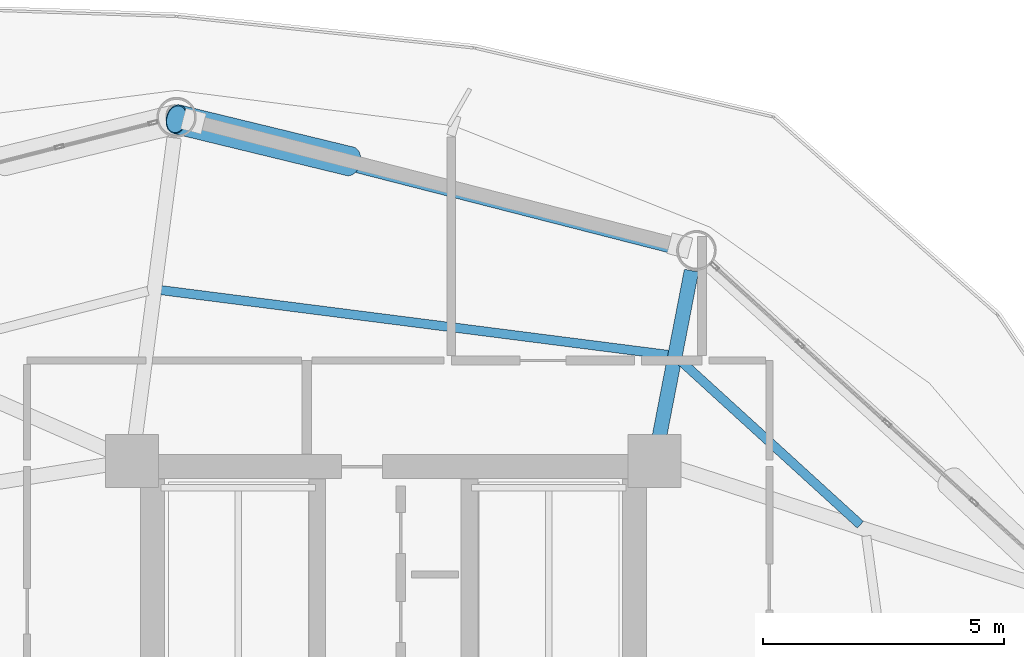
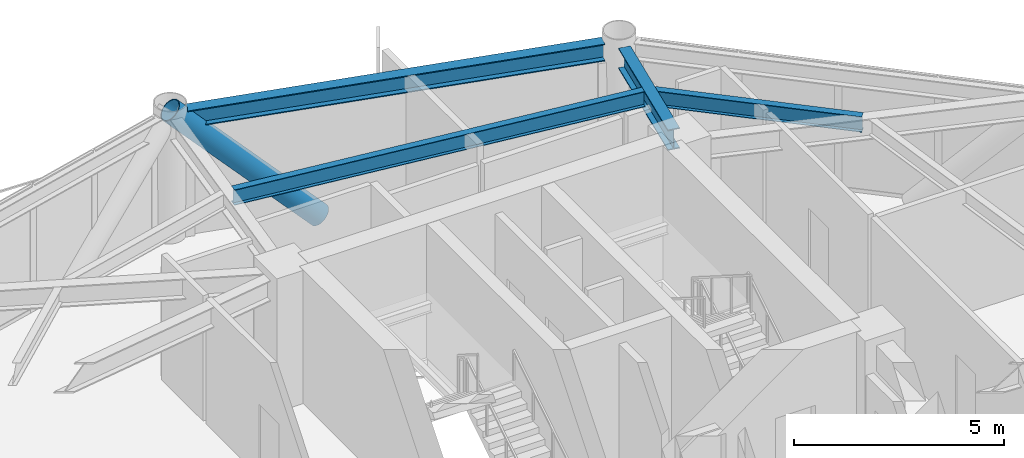
# One storey, part 18 of 26: 4 beams, 1 member.
"""IFC4 building model written with IfcOpenShell, lengths in metres."""

from ifc_helpers import new_model, si_unit, direction, frame, origin, origin_2d, place, context, subcontext, project, spatial, hollow_circle, i_section, extrude, material, material_profile, profile_set, type_object, element, save


model = new_model("IFC4")

# Units and contexts
model_context = context("Model", 3, precision=1e-05, world=origin(), true_north=direction((0.0, 1.0)))
body_context = subcontext(model_context, "Body", "Model", "MODEL_VIEW")
ifc_project = project(units=[si_unit("LENGTHUNIT", "METRE"), si_unit("AREAUNIT", "SQUARE_METRE"), si_unit("VOLUMEUNIT", "CUBIC_METRE"), si_unit("PLANEANGLEUNIT", "RADIAN"), si_unit("MASSUNIT", "GRAM", prefix="KILO")], contexts=[model_context])

# Site, building, storey
site_placement = place(None, origin())
site = spatial("IfcSite", under=ifc_project, at=site_placement, CompositionType="ELEMENT")
building_placement = place(site_placement, origin())
building = spatial("IfcBuilding", under=site, at=building_placement, Name="Varnakorn Sky Granary", CompositionType="ELEMENT")
storey_placement = place(building_placement, frame((0.0, 0.0, 95.39990234375)))
storey = spatial("IfcBuildingStorey", under=building, at=storey_placement, Name="L23", CompositionType="ELEMENT", Elevation=95.39990234375)

# Beams
ifc_material_1 = material(Name="Steel S355JR", Category="steel")
ifc_material_profile_1 = material_profile(ifc_material_1, i_section(OverallWidth=0.300048828125, OverallDepth=0.60009765625, WebThickness=0.015380859375, FlangeThickness=0.030029296875, at=origin_2d()), Name="HE 600 B")
ifc_profile_set_1 = profile_set([ifc_material_profile_1], Name="Steel S355JR")
beam_type_1 = type_object("IfcBeamType", Name="BM-RAD-Z2", PredefinedType="BEAM", material=ifc_profile_set_1)
beam_1_placement = place(storey_placement, frame((8.499755859375, 13.032470703125, 3.340087890625), z_axis=(0.189901660078, 0.981803116465, 0.0), x_axis=(-0.981803116465, 0.189901660078, 0.0)))
element("IfcBeam", 1, at=beam_1_placement, inside=storey, type_object=beam_type_1, Name="Radial Floor Girder RG03 L23", PredefinedType="BEAM", context=body_context, shape_type="SweptSolid", body=[
    extrude(i_section(OverallWidth=0.300048828125, OverallDepth=0.60009765625, WebThickness=0.015380859375, FlangeThickness=0.030029296875, at=origin_2d()), origin(), (0.0, 0.0, 1.0), 3.598388671875),
])
ifc_material_profile_2 = material_profile(ifc_material_1, i_section(OverallWidth=0.18994140625, OverallDepth=0.449951171875, WebThickness=0.009521484375, FlangeThickness=0.0146484375, at=origin_2d()), Name="IPE 450")
ifc_profile_set_2 = profile_set([ifc_material_profile_2], Name="Steel S355JR")
beam_type_2 = type_object("IfcBeamType", Name="BM-SEC-Z2", PredefinedType="BEAM", material=ifc_profile_set_2)
beam_2_placement = place(storey_placement, frame((12.686279296875, 11.29296875, 3.4150390625), z_axis=(-0.738926894757, 0.673785607004, 0.0), x_axis=(-0.673785607004, -0.738926894757, 0.0)))
element("IfcBeam", 2, at=beam_2_placement, inside=storey, type_object=beam_type_2, Name="Secondary Floor Chord Beam MSB02 L23", PredefinedType="BEAM", context=body_context, shape_type="SweptSolid", body=[
    extrude(i_section(OverallWidth=0.18994140625, OverallDepth=0.449951171875, WebThickness=0.009521484375, FlangeThickness=0.0146484375, at=origin_2d()), origin(), (0.0, 0.0, 1.0), 5.0634765625),
])
beam_3_placement = place(storey_placement, frame((8.70263671875, 14.816650390625, 3.4150390625), z_axis=(-0.991949410521, 0.126634777871, 0.0), x_axis=(-0.126634777871, -0.991949410521, 0.0)))
element("IfcBeam", 3, at=beam_3_placement, inside=storey, type_object=beam_type_2, Name="Secondary Floor Chord Beam MSB03 L23", PredefinedType="BEAM", context=body_context, shape_type="SweptSolid", body=[
    extrude(i_section(OverallWidth=0.18994140625, OverallDepth=0.449951171875, WebThickness=0.009521484375, FlangeThickness=0.0146484375, at=origin_2d()), origin(), (0.0, 0.0, 1.0), 10.607421875),
])
ifc_material_profile_3 = material_profile(ifc_material_1, i_section(OverallWidth=0.300048828125, OverallDepth=0.5, WebThickness=0.014404296875, FlangeThickness=0.028076171875, at=origin_2d()), Name="HE 500 B")
ifc_profile_set_3 = profile_set([ifc_material_profile_3], Name="Steel S355JR")
beam_type_3 = type_object("IfcBeamType", Name="BM-SPD-Z2", PredefinedType="SPANDREL", material=ifc_profile_set_3)
beam_4_placement = place(storey_placement, frame((8.87841796875, 17.047119140625, 3.39013671875), z_axis=(-0.968691144686, 0.248268939272, 0.0), x_axis=(-0.248268939272, -0.968691144686, 0.0)))
element("IfcBeam", 4, at=beam_4_placement, inside=storey, type_object=beam_type_3, Name="Perimeter Spandrel Ring Beam RB03 L23", PredefinedType="SPANDREL", context=body_context, shape_type="SweptSolid", body=[
    extrude(i_section(OverallWidth=0.300048828125, OverallDepth=0.5, WebThickness=0.014404296875, FlangeThickness=0.028076171875, at=origin_2d()), origin(), (0.0, 0.0, 1.0), 10.322509765625),
])

# Member
ifc_material_2 = material(Name="Steel S460M", Category="steel")
ifc_material_profile_4 = material_profile(ifc_material_2, hollow_circle(Radius=0.304931640625, WallThickness=0.022216796875, at=origin_2d()), Name="CHS 610x22")
ifc_profile_set_4 = profile_set([ifc_material_profile_4], Name="Steel S460M")
member_type = type_object("IfcMemberType", Name="MB-DIAG-T1", PredefinedType="BRACE", material=ifc_profile_set_4)
member_placement = place(storey_placement, frame((2.096923828125, 18.833740234375, -0.1298828125), z_axis=(-0.680806572136, 0.165291869173, 0.713569204298), x_axis=(-0.235934152698, -0.971769044367, 0.0)))
element("IfcMember", 5, at=member_placement, inside=storey, type_object=member_type, Name="Perimeter CHS Diagrid Brace DG03 L23", PredefinedType="BRACE", context=body_context, shape_type="SweptSolid", body=[
    extrude(hollow_circle(Radius=0.304931640625, WallThickness=0.022216796875, at=origin_2d()), origin(), (0.0, 0.0, 1.0), 5.283447265625),
])

save(model, "model.ifc")
